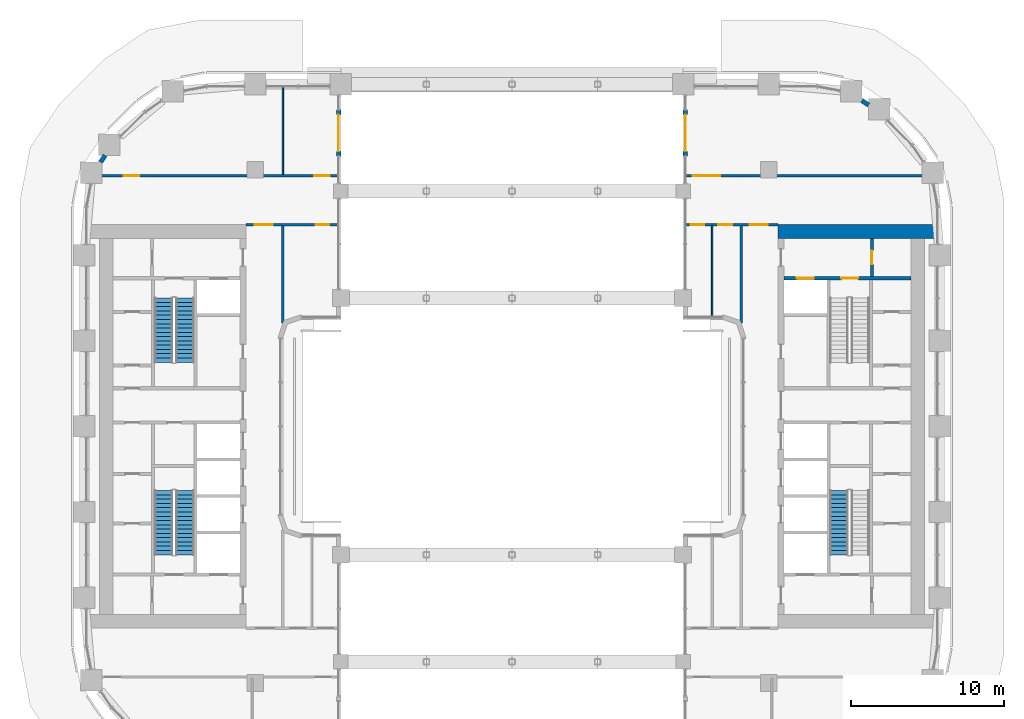
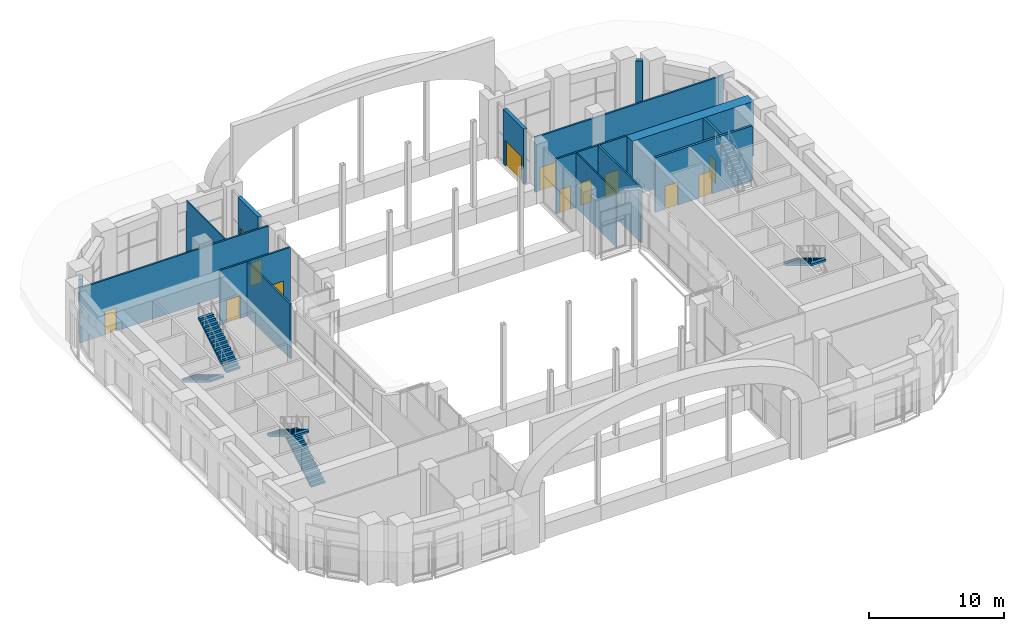
# One storey, part 17 of 27: 15 walls, 13 doors, 5 stair flights, 13 openings, 3 elements without a shape of their own.
"""IFC4 building model written with IfcOpenShell, lengths in metres."""

from ifc_helpers import new_model, si_unit, direction, frame, frame_2d, origin, place, context, subcontext, project, spatial, polyline, rectangle, outline, extrude, material, layer, layer_set, type_object, element, fill, aggregate, save


model = new_model("IFC4")

# Units and contexts
model_context = context("Model", 3, precision=1e-05, world=origin(), true_north=direction((0.0, 1.0)))
body_context = subcontext(model_context, "Body", "Model", "MODEL_VIEW")
ifc_project = project(units=[si_unit("LENGTHUNIT", "METRE"), si_unit("AREAUNIT", "SQUARE_METRE"), si_unit("VOLUMEUNIT", "CUBIC_METRE"), si_unit("PLANEANGLEUNIT", "RADIAN"), si_unit("MASSUNIT", "GRAM", prefix="KILO")], contexts=[model_context])

# Site, building, storey
site_placement = place(None, origin())
site = spatial("IfcSite", under=ifc_project, at=site_placement, CompositionType="ELEMENT")
building_placement = place(site_placement, origin())
building = spatial("IfcBuilding", under=site, at=building_placement, Name="Kiln Ring Residences", CompositionType="ELEMENT")
storey_placement = place(building_placement, frame((0.0, 0.0, 72.5)))
storey = spatial("IfcBuildingStorey", under=building, at=storey_placement, Name="L18", CompositionType="ELEMENT", Elevation=72.5)

# Wall, opening, door
ifc_material_1 = material(Name="Gypsum board on steel studs", Category="steel")
ifc_layer_1 = layer(ifc_material_1, 0.199951171875)
ifc_layer_set_1 = layer_set([ifc_layer_1], Name="CORE-PARTITION-200")
wall_type_1 = type_object("IfcWallType", Name="CORE-PARTITION-200", PredefinedType="PARTITIONING", material=ifc_layer_set_1)
wall_1_placement = place(storey_placement, frame((23.550048828125, 9.800048828125, 0.0), z_axis=(0.0, 0.0, 1.0), x_axis=(0.0, 1.0, 0.0)))
wall_1 = element("IfcWall", 1, at=wall_1_placement, inside=storey, type_object=wall_type_1, Name="Core partition east L18 3", PredefinedType="PARTITIONING", context=body_context, shape_type="SweptSolid", body=[
    extrude(rectangle(XDim=2.5, YDim=0.199951171875, at=frame_2d((1.25, 0.0))), origin(), (0.0, 0.0, 1.0), 4.949951171875),
])
opening_1_placement = place(wall_1_placement, frame((0.800048828125, 0.0, 0.0)))
opening_1 = element("IfcOpeningElement", 2, at=opening_1_placement, cuts=wall_1, Name="Opening L18-CE09", PredefinedType="OPENING", context=body_context, shape_type="SweptSolid", body=[
    extrude(rectangle(XDim=0.89990234375, YDim=2.10009765625, at=frame_2d((0.449951171875, 1.050048828125))), frame((0.0, 0.10986328125, 0.0), z_axis=(0.0, -1.0, 0.0), x_axis=(1.0, 0.0, 0.0)), (0.0, 0.0, 1.0), 0.219970703125),
])
ifc_material_2 = material(Name="Steel door leaf", Category="steel")
door_type_1 = type_object("IfcDoorType", Name="CORE-DOOR-ROOM", OperationType="SINGLE_SWING_LEFT", PredefinedType="DOOR", material=ifc_material_2)
door_1_placement = place(opening_1_placement, origin())
door_1 = element("IfcDoor", 3, at=door_1_placement, inside=storey, type_object=door_type_1, Name="Fire riser room L18-CE09", OperationType="SINGLE_SWING_RIGHT", OverallHeight=2.10009765625, OverallWidth=0.89990234375, PredefinedType="DOOR", context=body_context, shape_type="SweptSolid", body=[
    extrude(rectangle(XDim=0.89990234375, YDim=2.10009765625, at=frame_2d((0.449951171875, 1.050048828125))), frame((0.0, 0.02490234375, 0.0), z_axis=(0.0, -1.0, 0.0), x_axis=(1.0, 0.0, 0.0)), (0.0, 0.0, 1.0), 0.050048828125),
])
fill(opening_1, door_1)

# Wall, openings, doors
ifc_material_3 = material(Name="Concrete C40/50", Category="concrete")
ifc_layer_2 = layer(ifc_material_3, 0.199951171875)
ifc_layer_set_2 = layer_set([ifc_layer_2], Name="CORE-WALL-RC200")
wall_type_2 = type_object("IfcWallType", Name="CORE-WALL-RC200", PredefinedType="SHEAR", material=ifc_layer_set_2)
wall_2_placement = place(storey_placement, frame((17.800048828125, 9.699951171875, 0.0), z_axis=(0.0, 0.0, 1.0), x_axis=(1.0, 0.0, 0.0)))
wall_2 = element("IfcWall", 4, at=wall_2_placement, inside=storey, type_object=wall_type_2, Name="Core wall east L18 9", PredefinedType="SHEAR", context=body_context, shape_type="SweptSolid", body=[
    extrude(rectangle(XDim=8.300048828125, YDim=0.199951171875, at=frame_2d((4.14990234375, 0.0))), origin(), (0.0, 0.0, 1.0), 4.949951171875),
])
opening_2_placement = place(wall_2_placement, frame((0.85009765625, 0.0, 0.0)))
opening_2 = element("IfcOpeningElement", 5, at=opening_2_placement, cuts=wall_2, Name="Opening L18-CE06", PredefinedType="OPENING", context=body_context, shape_type="SweptSolid", body=[
    extrude(rectangle(XDim=1.10009765625, YDim=2.10009765625, at=frame_2d((0.550048828125, 1.050048828125))), frame((0.0, 0.10986328125, 0.0), z_axis=(0.0, -1.0, 0.0), x_axis=(1.0, 0.0, 0.0)), (0.0, 0.0, 1.0), 0.219970703125),
])
opening_3_placement = place(wall_2_placement, frame((3.75, 0.0, 0.0)))
opening_3 = element("IfcOpeningElement", 6, at=opening_3_placement, cuts=wall_2, Name="Opening L18-CE11", PredefinedType="OPENING", context=body_context, shape_type="SweptSolid", body=[
    extrude(rectangle(XDim=1.10009765625, YDim=2.10009765625, at=frame_2d((0.550048828125, 1.050048828125))), frame((0.0, 0.10986328125, 0.0), z_axis=(0.0, -1.0, 0.0), x_axis=(1.0, 0.0, 0.0)), (0.0, 0.0, 1.0), 0.219970703125),
])
ifc_material_4 = material(Name="Steel door leaf", Category="steel")
door_type_2 = type_object("IfcDoorType", Name="CORE-DOOR-LD", OperationType="DOUBLE_DOOR_SLIDING", PredefinedType="DOOR", material=ifc_material_4)
door_2_placement = place(opening_2_placement, origin())
door_2 = element("IfcDoor", 7, at=door_2_placement, inside=storey, type_object=door_type_2, Name="LD E-FF L18-CE06", OperationType="DOUBLE_DOOR_SLIDING", OverallHeight=2.10009765625, OverallWidth=1.10009765625, PredefinedType="DOOR", context=body_context, shape_type="SweptSolid", body=[
    extrude(rectangle(XDim=1.10009765625, YDim=2.10009765625, at=frame_2d((0.550048828125, 1.050048828125))), frame((0.0, 0.02490234375, 0.0), z_axis=(0.0, -1.0, 0.0), x_axis=(1.0, 0.0, 0.0)), (0.0, 0.0, 1.0), 0.050048828125),
])
fill(opening_2, door_2)
ifc_material_5 = material(Name="Steel door leaf", Category="steel")
door_type_3 = type_object("IfcDoorType", Name="CORE-DOOR-STAIR", OperationType="SINGLE_SWING_LEFT", PredefinedType="DOOR", material=ifc_material_5)
door_3_placement = place(opening_3_placement, origin())
door_3 = element("IfcDoor", 8, at=door_3_placement, inside=storey, type_object=door_type_3, Name="Stair E-STN L18-CE11", OperationType="SINGLE_SWING_RIGHT", OverallHeight=2.10009765625, OverallWidth=1.10009765625, PredefinedType="DOOR", context=body_context, shape_type="SweptSolid", body=[
    extrude(rectangle(XDim=1.10009765625, YDim=2.10009765625, at=frame_2d((0.550048828125, 1.050048828125))), frame((0.0, 0.02490234375, 0.0), z_axis=(0.0, -1.0, 0.0), x_axis=(1.0, 0.0, 0.0)), (0.0, 0.0, 1.0), 0.050048828125),
])
fill(opening_3, door_3)

# Wall
ifc_material_6 = material(Name="Concrete C60/75", Category="concrete")
ifc_layer_3 = layer(ifc_material_6, 0.89990234375)
ifc_layer_set_3 = layer_set([ifc_layer_3], Name="CORE-WALL-RC900")
wall_type_3 = type_object("IfcWallType", Name="CORE-WALL-RC900", PredefinedType="SHEAR", material=ifc_layer_set_3)
wall_3_placement = place(storey_placement, frame((17.39990234375, 12.75, 0.0), z_axis=(0.0, 0.0, 1.0), x_axis=(1.0, 0.0, 0.0)))
element("IfcWall", 9, at=wall_3_placement, inside=storey, type_object=wall_type_3, Name="Core wall east L18 4", PredefinedType="SHEAR", context=body_context, shape_type="SweptSolid", body=[
    extrude(rectangle(XDim=10.400146484375, YDim=0.89990234375, at=frame_2d((5.2001953125, 0.0))), origin(), (0.0, 0.0, 1.0), 4.949951171875),
])

# Wall, opening, door
ifc_material_7 = material(Name="Brick masonry, dark clay brick", Category="masonry")
ifc_layer_4 = layer(ifc_material_7, 0.300048828125)
ifc_layer_set_4 = layer_set([ifc_layer_4], Name="EW-300 BRICK WALL")
wall_type_4 = type_object("IfcWallType", Name="EW-300 BRICK WALL", PredefinedType="SOLIDWALL", material=ifc_layer_set_4)
wall_4_placement = place(storey_placement, frame((-11.35009765625, 17.699951171875, 0.0), z_axis=(0.0, 0.0, 1.0), x_axis=(0.0, 1.0, 0.0)))
wall_4 = element("IfcWall", 10, at=wall_4_placement, inside=storey, type_object=wall_type_4, Name="Facade wall L18 2", PredefinedType="SOLIDWALL", context=body_context, shape_type="SweptSolid", body=[
    extrude(rectangle(XDim=3.0, YDim=0.300048828125, at=frame_2d((1.5, 0.0))), origin(), (0.0, 0.0, 1.0), 4.949951171875),
])
opening_4_placement = place(wall_4_placement, frame((0.300048828125, 0.0, 0.0)))
opening_4 = element("IfcOpeningElement", 11, at=opening_4_placement, cuts=wall_4, Name="Opening EL18-2", PredefinedType="OPENING", context=body_context, shape_type="SweptSolid", body=[
    extrude(rectangle(XDim=2.39990234375, YDim=2.300048828125, at=frame_2d((1.199951171875, 1.14990234375))), frame((0.0, 0.159912109375, 0.0), z_axis=(0.0, -1.0, 0.0), x_axis=(1.0, 0.0, 0.0)), (0.0, 0.0, 1.0), 0.320068359375),
])
ifc_material_8 = material(Name="Aluminium and glass", Category="aluminium")
door_type_4 = type_object("IfcDoorType", Name="TERRACE DOOR 2400 x 2300", OperationType="DOUBLE_DOOR_SINGLE_SWING", PredefinedType="DOOR", material=ifc_material_8)
door_4_placement = place(opening_4_placement, origin())
door_4 = element("IfcDoor", 12, at=door_4_placement, inside=storey, type_object=door_type_4, Name="Terrace door EL18-2", OperationType="SINGLE_SWING_LEFT", OverallHeight=2.300048828125, OverallWidth=2.39990234375, PredefinedType="DOOR", context=body_context, shape_type="SweptSolid", body=[
    extrude(rectangle(XDim=2.39990234375, YDim=2.300048828125, at=frame_2d((1.199951171875, 1.14990234375))), frame((0.0, 0.02490234375, 0.0), z_axis=(0.0, -1.0, 0.0), x_axis=(1.0, 0.0, 0.0)), (0.0, 0.0, 1.0), 0.050048828125),
])
fill(opening_4, door_4)

wall_5_placement = place(storey_placement, frame((11.35009765625, 20.699951171875, 0.0), z_axis=(0.0, 0.0, 1.0), x_axis=(0.0, -1.0, 0.0)))
wall_5 = element("IfcWall", 13, at=wall_5_placement, inside=storey, type_object=wall_type_4, Name="Facade wall L18 4", PredefinedType="SOLIDWALL", context=body_context, shape_type="SweptSolid", body=[
    extrude(rectangle(XDim=3.0, YDim=0.300048828125, at=frame_2d((1.5, 0.0))), origin(), (0.0, 0.0, 1.0), 4.949951171875),
])
opening_5_placement = place(wall_5_placement, frame((0.300048828125, 0.0, 0.0)))
opening_5 = element("IfcOpeningElement", 14, at=opening_5_placement, cuts=wall_5, Name="Opening EL18-4", PredefinedType="OPENING", context=body_context, shape_type="SweptSolid", body=[
    extrude(rectangle(XDim=2.39990234375, YDim=2.300048828125, at=frame_2d((1.199951171875, 1.14990234375))), frame((0.0, 0.159912109375, 0.0), z_axis=(0.0, -1.0, 0.0), x_axis=(1.0, 0.0, 0.0)), (0.0, 0.0, 1.0), 0.320068359375),
])
door_5_placement = place(opening_5_placement, origin())
door_5 = element("IfcDoor", 15, at=door_5_placement, inside=storey, type_object=door_type_4, Name="Terrace door EL18-4", OperationType="SINGLE_SWING_LEFT", OverallHeight=2.300048828125, OverallWidth=2.39990234375, PredefinedType="DOOR", context=body_context, shape_type="SweptSolid", body=[
    extrude(rectangle(XDim=2.39990234375, YDim=2.300048828125, at=frame_2d((1.199951171875, 1.14990234375))), frame((0.0, 0.02490234375, 0.0), z_axis=(0.0, -1.0, 0.0), x_axis=(1.0, 0.0, 0.0)), (0.0, 0.0, 1.0), 0.050048828125),
])
fill(opening_5, door_5)

# Walls
for number, where, z_axis, x_axis, name in (
    (16, (-26.635986328125, 17.740234375, 0.0), (0.0, 0.0, 1.0), (-0.561913238827, -0.827196175059, 0.0), "Facade wall L18 8"),
    (17, (23.340087890625, 21.035888671875, 0.0), (0.0, 0.0, 1.0), (-0.827048360589, 0.562130775929, 0.0), "Facade wall L18 11"),
):
    element("IfcWall", number, at=place(storey_placement, frame(where, z_axis=z_axis, x_axis=x_axis)), inside=storey, type_object=wall_type_4, Name=name, PredefinedType="SOLIDWALL", context=body_context, shape_type="SweptSolid", body=[
        extrude(rectangle(XDim=0.521728515625, YDim=0.300048828125, at=frame_2d((0.2607421875, 0.0))), origin(), (0.0, 0.0, 1.0), 4.949951171875),
    ])
ifc_material_9 = material(Name="Gypsum board on steel studs", Category="steel")
ifc_layer_5 = layer(ifc_material_9, 0.10009765625)
ifc_layer_set_5 = layer_set([ifc_layer_5], Name="PARTITION-100")
wall_type_5 = type_object("IfcWallType", Name="PARTITION-100", PredefinedType="PARTITIONING", material=ifc_layer_set_5)
wall_6_placement = place(storey_placement, frame((-15.0, 16.47509765625, 0.0), z_axis=(0.0, 0.0, 1.0), x_axis=(0.0, 1.0, 0.0)))
element("IfcWall", 18, at=wall_6_placement, inside=storey, type_object=wall_type_5, Name="Partition 009", PredefinedType="PARTITIONING", context=body_context, shape_type="SweptSolid", body=[
    extrude(rectangle(XDim=5.740966796875, YDim=0.10009765625, at=frame_2d((2.87060546875, 0.0))), origin(), (0.0, 0.0, 1.0), 4.949951171875),
])
wall_7_placement = place(storey_placement, frame((13.10009765625, 7.18408203125, 0.0), z_axis=(0.0, 0.0, 1.0), x_axis=(0.0, 1.0, 0.0)))
element("IfcWall", 19, at=wall_7_placement, inside=storey, type_object=wall_type_5, Name="Partition 013", PredefinedType="PARTITIONING", context=body_context, shape_type="SweptSolid", body=[
    extrude(rectangle(XDim=5.94091796875, YDim=0.10009765625, at=frame_2d((2.970458984375, 0.0))), origin(), (0.0, 0.0, 1.0), 4.949951171875),
])

# Wall, openings, doors
ifc_material_10 = material(Name="Brick masonry partition", Category="masonry")
ifc_layer_6 = layer(ifc_material_10, 0.14990234375)
ifc_layer_set_6 = layer_set([ifc_layer_6], Name="PARTITION-150-ei60")
wall_type_6 = type_object("IfcWallType", Name="PARTITION-150-ei60", PredefinedType="PARTITIONING", material=ifc_layer_set_6)
wall_8_placement = place(storey_placement, frame((-17.39990234375, 13.199951171875, 0.0), z_axis=(0.0, 0.0, 1.0), x_axis=(1.0, 0.0, 0.0)))
wall_8 = element("IfcWall", 20, at=wall_8_placement, inside=storey, type_object=wall_type_6, Name="Partition 004", PredefinedType="PARTITIONING", context=body_context, shape_type="SweptSolid", body=[
    extrude(rectangle(XDim=6.015869140625, YDim=0.14990234375, at=frame_2d((3.0078125, 0.0))), origin(), (0.0, 0.0, 1.0), 4.949951171875),
])
opening_6_placement = place(wall_8_placement, frame((0.550048828125, 0.0, 0.0)))
opening_6 = element("IfcOpeningElement", 21, at=opening_6_placement, cuts=wall_8, Name="Opening L18-D005", PredefinedType="OPENING", context=body_context, shape_type="SweptSolid", body=[
    extrude(rectangle(XDim=1.199951171875, YDim=2.10009765625, at=frame_2d((0.60009765625, 1.050048828125))), frame((0.0, 0.0849609375, 0.0), z_axis=(0.0, -1.0, 0.0), x_axis=(1.0, 0.0, 0.0)), (0.0, 0.0, 1.0), 0.169921875),
])
opening_7_placement = place(wall_8_placement, frame((4.550048828125, 0.0, 0.0)))
opening_7 = element("IfcOpeningElement", 22, at=opening_7_placement, cuts=wall_8, Name="Opening L18-D006", PredefinedType="OPENING", context=body_context, shape_type="SweptSolid", body=[
    extrude(rectangle(XDim=0.89990234375, YDim=2.10009765625, at=frame_2d((0.449951171875, 1.050048828125))), frame((0.0, 0.0849609375, 0.0), z_axis=(0.0, -1.0, 0.0), x_axis=(1.0, 0.0, 0.0)), (0.0, 0.0, 1.0), 0.169921875),
])
ifc_material_11 = material(Name="Steel faced fire door leaf", Category="steel")
door_type_5 = type_object("IfcDoorType", Name="FLAT-DOOR-1200-FR", OperationType="SINGLE_SWING_LEFT", PredefinedType="DOOR", material=ifc_material_11)
door_6_placement = place(opening_6_placement, origin())
door_6 = element("IfcDoor", 23, at=door_6_placement, inside=storey, type_object=door_type_5, Name="Door L18-D005", OperationType="SINGLE_SWING_RIGHT", OverallHeight=2.10009765625, OverallWidth=1.199951171875, PredefinedType="DOOR", context=body_context, shape_type="SweptSolid", body=[
    extrude(rectangle(XDim=1.199951171875, YDim=2.10009765625, at=frame_2d((0.60009765625, 1.050048828125))), frame((0.0, 0.02490234375, 0.0), z_axis=(0.0, -1.0, 0.0), x_axis=(1.0, 0.0, 0.0)), (0.0, 0.0, 1.0), 0.050048828125),
])
fill(opening_6, door_6)
ifc_material_12 = material(Name="Steel faced fire door leaf", Category="steel")
door_type_6 = type_object("IfcDoorType", Name="FLAT-DOOR-900-FR", OperationType="SINGLE_SWING_LEFT", PredefinedType="DOOR", material=ifc_material_12)
door_7_placement = place(opening_7_placement, origin())
door_7 = element("IfcDoor", 24, at=door_7_placement, inside=storey, type_object=door_type_6, Name="Door L18-D006", OperationType="SINGLE_SWING_RIGHT", OverallHeight=2.10009765625, OverallWidth=0.89990234375, PredefinedType="DOOR", context=body_context, shape_type="SweptSolid", body=[
    extrude(rectangle(XDim=0.89990234375, YDim=2.10009765625, at=frame_2d((0.449951171875, 1.050048828125))), frame((0.0, 0.02490234375, 0.0), z_axis=(0.0, -1.0, 0.0), x_axis=(1.0, 0.0, 0.0)), (0.0, 0.0, 1.0), 0.050048828125),
])
fill(opening_7, door_7)

wall_9_placement = place(storey_placement, frame((11.384033203125, 13.199951171875, 0.0), z_axis=(0.0, 0.0, 1.0), x_axis=(1.0, 0.0, 0.0)))
wall_9 = element("IfcWall", 25, at=wall_9_placement, inside=storey, type_object=wall_type_6, Name="Partition 005", PredefinedType="PARTITIONING", context=body_context, shape_type="SweptSolid", body=[
    extrude(rectangle(XDim=6.015869140625, YDim=0.14990234375, at=frame_2d((3.0078125, 0.0))), origin(), (0.0, 0.0, 1.0), 4.949951171875),
])
opening_8_placement = place(wall_9_placement, frame((4.166015625, 0.0, 0.0)))
opening_8 = element("IfcOpeningElement", 26, at=opening_8_placement, cuts=wall_9, Name="Opening L18-D001", PredefinedType="OPENING", context=body_context, shape_type="SweptSolid", body=[
    extrude(rectangle(XDim=1.199951171875, YDim=2.10009765625, at=frame_2d((0.60009765625, 1.050048828125))), frame((0.0, 0.0849609375, 0.0), z_axis=(0.0, -1.0, 0.0), x_axis=(1.0, 0.0, 0.0)), (0.0, 0.0, 1.0), 0.169921875),
])
opening_9_placement = place(wall_9_placement, frame((0.305908203125, 0.0, 0.0)))
opening_9 = element("IfcOpeningElement", 27, at=opening_9_placement, cuts=wall_9, Name="Opening L18-D002", PredefinedType="OPENING", context=body_context, shape_type="SweptSolid", body=[
    extrude(rectangle(XDim=0.89990234375, YDim=2.10009765625, at=frame_2d((0.449951171875, 1.050048828125))), frame((0.0, 0.0849609375, 0.0), z_axis=(0.0, -1.0, 0.0), x_axis=(1.0, 0.0, 0.0)), (0.0, 0.0, 1.0), 0.169921875),
])
opening_10_placement = place(wall_9_placement, frame((2.115966796875, 0.0, 0.0)))
opening_10 = element("IfcOpeningElement", 28, at=opening_10_placement, cuts=wall_9, Name="Opening L18-D003", PredefinedType="OPENING", context=body_context, shape_type="SweptSolid", body=[
    extrude(rectangle(XDim=0.89990234375, YDim=2.10009765625, at=frame_2d((0.449951171875, 1.050048828125))), frame((0.0, 0.0849609375, 0.0), z_axis=(0.0, -1.0, 0.0), x_axis=(1.0, 0.0, 0.0)), (0.0, 0.0, 1.0), 0.169921875),
])
door_8_placement = place(opening_8_placement, origin())
door_8 = element("IfcDoor", 29, at=door_8_placement, inside=storey, type_object=door_type_5, Name="Door L18-D001", OperationType="SINGLE_SWING_RIGHT", OverallHeight=2.10009765625, OverallWidth=1.199951171875, PredefinedType="DOOR", context=body_context, shape_type="SweptSolid", body=[
    extrude(rectangle(XDim=1.199951171875, YDim=2.10009765625, at=frame_2d((0.60009765625, 1.050048828125))), frame((0.0, 0.02490234375, 0.0), z_axis=(0.0, -1.0, 0.0), x_axis=(1.0, 0.0, 0.0)), (0.0, 0.0, 1.0), 0.050048828125),
])
fill(opening_8, door_8)
door_9_placement = place(opening_9_placement, origin())
door_9 = element("IfcDoor", 30, at=door_9_placement, inside=storey, type_object=door_type_6, Name="Door L18-D002", OperationType="SINGLE_SWING_RIGHT", OverallHeight=2.10009765625, OverallWidth=0.89990234375, PredefinedType="DOOR", context=body_context, shape_type="SweptSolid", body=[
    extrude(rectangle(XDim=0.89990234375, YDim=2.10009765625, at=frame_2d((0.449951171875, 1.050048828125))), frame((0.0, 0.02490234375, 0.0), z_axis=(0.0, -1.0, 0.0), x_axis=(1.0, 0.0, 0.0)), (0.0, 0.0, 1.0), 0.050048828125),
])
fill(opening_9, door_9)
door_10_placement = place(opening_10_placement, origin())
door_10 = element("IfcDoor", 31, at=door_10_placement, inside=storey, type_object=door_type_6, Name="Door L18-D003", OperationType="SINGLE_SWING_LEFT", OverallHeight=2.10009765625, OverallWidth=0.89990234375, PredefinedType="DOOR", context=body_context, shape_type="SweptSolid", body=[
    extrude(rectangle(XDim=0.89990234375, YDim=2.10009765625, at=frame_2d((0.449951171875, 1.050048828125))), frame((0.0, 0.02490234375, 0.0), z_axis=(0.0, -1.0, 0.0), x_axis=(1.0, 0.0, 0.0)), (0.0, 0.0, 1.0), 0.050048828125),
])
fill(opening_10, door_10)

wall_10_placement = place(storey_placement, frame((-27.52001953125, 16.39990234375, 0.0), z_axis=(0.0, 0.0, 1.0), x_axis=(1.0, 0.0, 0.0)))
wall_10 = element("IfcWall", 32, at=wall_10_placement, inside=storey, type_object=wall_type_6, Name="Partition 006", PredefinedType="PARTITIONING", context=body_context, shape_type="SweptSolid", body=[
    extrude(rectangle(XDim=16.135986328125, YDim=0.14990234375, at=frame_2d((8.06787109375, 0.0))), origin(), (0.0, 0.0, 1.0), 4.949951171875),
])
opening_11_placement = place(wall_10_placement, frame((14.580078125, 0.0, 0.0)))
opening_11 = element("IfcOpeningElement", 33, at=opening_11_placement, cuts=wall_10, Name="Opening L18-D007", PredefinedType="OPENING", context=body_context, shape_type="SweptSolid", body=[
    extrude(rectangle(XDim=1.0, YDim=2.10009765625, at=frame_2d((0.5, 1.050048828125))), frame((0.0, 0.0849609375, 0.0), z_axis=(0.0, -1.0, 0.0), x_axis=(1.0, 0.0, 0.0)), (0.0, 0.0, 1.0), 0.169921875),
])
opening_12_placement = place(wall_10_placement, frame((2.1201171875, 0.0, 0.0)))
opening_12 = element("IfcOpeningElement", 34, at=opening_12_placement, cuts=wall_10, Name="Opening L18-D008", PredefinedType="OPENING", context=body_context, shape_type="SweptSolid", body=[
    extrude(rectangle(XDim=1.0, YDim=2.10009765625, at=frame_2d((0.5, 1.050048828125))), frame((0.0, 0.0849609375, 0.0), z_axis=(0.0, -1.0, 0.0), x_axis=(1.0, 0.0, 0.0)), (0.0, 0.0, 1.0), 0.169921875),
])
ifc_material_13 = material(Name="Steel faced fire door leaf", Category="steel")
door_type_7 = type_object("IfcDoorType", Name="FLAT-DOOR-1000-FR", OperationType="SINGLE_SWING_LEFT", PredefinedType="DOOR", material=ifc_material_13)
door_11_placement = place(opening_11_placement, origin())
door_11 = element("IfcDoor", 35, at=door_11_placement, inside=storey, type_object=door_type_7, Name="Door L18-D007", OperationType="SINGLE_SWING_LEFT", OverallHeight=2.10009765625, OverallWidth=1.0, PredefinedType="DOOR", context=body_context, shape_type="SweptSolid", body=[
    extrude(rectangle(XDim=1.0, YDim=2.10009765625, at=frame_2d((0.5, 1.050048828125))), frame((0.0, 0.02490234375, 0.0), z_axis=(0.0, -1.0, 0.0), x_axis=(1.0, 0.0, 0.0)), (0.0, 0.0, 1.0), 0.050048828125),
])
fill(opening_11, door_11)
door_12_placement = place(opening_12_placement, origin())
door_12 = element("IfcDoor", 36, at=door_12_placement, inside=storey, type_object=door_type_7, Name="Door L18-D008", OperationType="SINGLE_SWING_RIGHT", OverallHeight=2.10009765625, OverallWidth=1.0, PredefinedType="DOOR", context=body_context, shape_type="SweptSolid", body=[
    extrude(rectangle(XDim=1.0, YDim=2.10009765625, at=frame_2d((0.5, 1.050048828125))), frame((0.0, 0.02490234375, 0.0), z_axis=(0.0, -1.0, 0.0), x_axis=(1.0, 0.0, 0.0)), (0.0, 0.0, 1.0), 0.050048828125),
])
fill(opening_12, door_12)

# Wall, opening, door
wall_11_placement = place(storey_placement, frame((11.384033203125, 16.39990234375, 0.0), z_axis=(0.0, 0.0, 1.0), x_axis=(1.0, 0.0, 0.0)))
wall_11 = element("IfcWall", 37, at=wall_11_placement, inside=storey, type_object=wall_type_6, Name="Partition 007", PredefinedType="PARTITIONING", context=body_context, shape_type="SweptSolid", body=[
    extrude(rectangle(XDim=16.135986328125, YDim=0.14990234375, at=frame_2d((8.06787109375, 0.0))), origin(), (0.0, 0.0, 1.0), 4.949951171875),
])
opening_13_placement = place(wall_11_placement, frame((0.443115234375, 0.0, 0.0)))
opening_13 = element("IfcOpeningElement", 38, at=opening_13_placement, cuts=wall_11, Name="Opening L18-D004", PredefinedType="OPENING", context=body_context, shape_type="SweptSolid", body=[
    extrude(rectangle(XDim=1.800048828125, YDim=2.10009765625, at=frame_2d((0.89990234375, 1.050048828125))), frame((0.0, 0.0849609375, 0.0), z_axis=(0.0, -1.0, 0.0), x_axis=(1.0, 0.0, 0.0)), (0.0, 0.0, 1.0), 0.169921875),
])
ifc_material_14 = material(Name="Steel faced fire door leaf", Category="steel")
door_type_8 = type_object("IfcDoorType", Name="FLAT-DOOR-1800-FR", OperationType="SINGLE_SWING_LEFT", PredefinedType="DOOR", material=ifc_material_14)
door_13_placement = place(opening_13_placement, origin())
door_13 = element("IfcDoor", 39, at=door_13_placement, inside=storey, type_object=door_type_8, Name="Door L18-D004", OperationType="SINGLE_SWING_RIGHT", OverallHeight=2.10009765625, OverallWidth=1.800048828125, PredefinedType="DOOR", context=body_context, shape_type="SweptSolid", body=[
    extrude(rectangle(XDim=1.800048828125, YDim=2.10009765625, at=frame_2d((0.89990234375, 1.050048828125))), frame((0.0, 0.02490234375, 0.0), z_axis=(0.0, -1.0, 0.0), x_axis=(1.0, 0.0, 0.0)), (0.0, 0.0, 1.0), 0.050048828125),
])
fill(opening_13, door_13)

# Walls
for number, where, z_axis, x_axis, name in (
    (40, (-15.0, 6.768798828125, 0.0), (0.0, 0.0, 1.0), (0.0, 1.0, 0.0), "Partition 011"),
    (41, (15.0, 6.768798828125, 0.0), (0.0, 0.0, 1.0), (0.0, 1.0, 0.0), "Partition 016"),
):
    element("IfcWall", number, at=place(storey_placement, frame(where, z_axis=z_axis, x_axis=x_axis)), inside=storey, type_object=wall_type_6, Name=name, PredefinedType="PARTITIONING", context=body_context, shape_type="SweptSolid", body=[
        extrude(rectangle(XDim=6.356201171875, YDim=0.14990234375, at=frame_2d((3.17822265625, 0.0))), origin(), (0.0, 0.0, 1.0), 4.949951171875),
    ])

# Stair, stair flights
ifc_material_15 = material(Name="Concrete C40/50", Category="concrete")
stair_type = type_object("IfcStairType", Name="CORE-STAIR", PredefinedType="HALF_TURN_STAIR", material=ifc_material_15)
placement = place(storey_placement, origin())
stair_1 = element("IfcStair", 42, at=placement, inside=storey, type_object=stair_type, Name="L18 stair W-STN", PredefinedType="HALF_TURN_STAIR")
ifc_material_16 = material(Name="Concrete C40/50", Category="concrete")
stair_flight_type = type_object("IfcStairFlightType", Name="CORE-STAIR-FLIGHT", PredefinedType="STRAIGHT", material=ifc_material_16)
stair_flight_1_placement = place(storey_placement, frame((-22.800048828125, 8.39990234375, 0.0), z_axis=(0.0, 0.0, 1.0), x_axis=(0.0, -1.0, 0.0)))
stair_flight_1 = element("IfcStairFlight", 43, at=stair_flight_1_placement, type_object=stair_flight_type, Name="W-STN flight 1", NumberOfRisers=16, NumberOfTreads=15, PredefinedType="STRAIGHT", RiserHeight=0.16875, TreadLength=0.28, context=body_context, shape_type="SweptSolid", body=[
    extrude(outline(polyline([(0.0, 0.0), (0.0, 0.168701171875), (0.280029296875, 0.168701171875), (0.280029296875, 0.33740234375), (0.56005859375, 0.33740234375), (0.56005859375, 0.50634765625), (0.840087890625, 0.50634765625), (0.840087890625, 0.675048828125), (1.1201171875, 0.675048828125), (1.1201171875, 0.84375), (1.39990234375, 0.84375), (1.39990234375, 1.012451171875), (1.679931640625, 1.012451171875), (1.679931640625, 1.18115234375), (1.9599609375, 1.18115234375), (1.9599609375, 1.35009765625), (2.239990234375, 1.35009765625), (2.239990234375, 1.518798828125), (2.52001953125, 1.518798828125), (2.52001953125, 1.6875), (2.800048828125, 1.6875), (2.800048828125, 1.856201171875), (3.080078125, 1.856201171875), (3.080078125, 2.02490234375), (3.360107421875, 2.02490234375), (3.360107421875, 2.19384765625), (3.639892578125, 2.19384765625), (3.639892578125, 2.362548828125), (3.919921875, 2.362548828125), (3.919921875, 2.53125), (4.199951171875, 2.53125), (4.199951171875, 2.699951171875), (4.199951171875, 2.356201171875), (0.29052734375, 0.0), (0.0, 0.0)])), frame((0.0, 0.60009765625, 0.0), z_axis=(0.0, -1.0, 0.0), x_axis=(1.0, 0.0, 0.0)), (0.0, 0.0, 1.0), 1.199951171875),
])
stair_flight_2_placement = place(storey_placement, frame((-21.39990234375, 4.199951171875, 2.699951171875), z_axis=(0.0, 0.0, 1.0), x_axis=(0.0, 1.0, 0.0)))
stair_flight_2 = element("IfcStairFlight", 44, at=stair_flight_2_placement, type_object=stair_flight_type, Name="W-STN flight 2", NumberOfRisers=16, NumberOfTreads=15, PredefinedType="STRAIGHT", RiserHeight=0.16875, TreadLength=0.28, context=body_context, shape_type="SweptSolid", body=[
    extrude(outline(polyline([(0.0, 0.0), (0.0, 0.168701171875), (0.280029296875, 0.168701171875), (0.280029296875, 0.33740234375), (0.56005859375, 0.33740234375), (0.56005859375, 0.50634765625), (0.840087890625, 0.50634765625), (0.840087890625, 0.675048828125), (1.1201171875, 0.675048828125), (1.1201171875, 0.84375), (1.39990234375, 0.84375), (1.39990234375, 1.012451171875), (1.679931640625, 1.012451171875), (1.679931640625, 1.18115234375), (1.9599609375, 1.18115234375), (1.9599609375, 1.35009765625), (2.239990234375, 1.35009765625), (2.239990234375, 1.518798828125), (2.52001953125, 1.518798828125), (2.52001953125, 1.6875), (2.800048828125, 1.6875), (2.800048828125, 1.856201171875), (3.080078125, 1.856201171875), (3.080078125, 2.02490234375), (3.360107421875, 2.02490234375), (3.360107421875, 2.19384765625), (3.639892578125, 2.19384765625), (3.639892578125, 2.362548828125), (3.919921875, 2.362548828125), (3.919921875, 2.53125), (4.199951171875, 2.53125), (4.199951171875, 2.699951171875), (4.199951171875, 2.356201171875), (0.29052734375, 0.0), (0.0, 0.0)])), frame((0.0, 0.60009765625, 0.0), z_axis=(0.0, -1.0, 0.0), x_axis=(1.0, 0.0, 0.0)), (0.0, 0.0, 1.0), 1.199951171875),
])
aggregate(stair_1, [stair_flight_1, stair_flight_2])

stair_2 = element("IfcStair", 45, at=placement, inside=storey, type_object=stair_type, Name="L18 stair W-STS", PredefinedType="HALF_TURN_STAIR")
stair_flight_3_placement = place(storey_placement, frame((-21.39990234375, -8.39990234375, 0.0), z_axis=(0.0, 0.0, 1.0), x_axis=(0.0, 1.0, 0.0)))
stair_flight_3 = element("IfcStairFlight", 46, at=stair_flight_3_placement, type_object=stair_flight_type, Name="W-STS flight 1", NumberOfRisers=16, NumberOfTreads=15, PredefinedType="STRAIGHT", RiserHeight=0.16875, TreadLength=0.28, context=body_context, shape_type="SweptSolid", body=[
    extrude(outline(polyline([(0.0, 0.0), (0.0, 0.168701171875), (0.280029296875, 0.168701171875), (0.280029296875, 0.33740234375), (0.56005859375, 0.33740234375), (0.56005859375, 0.50634765625), (0.840087890625, 0.50634765625), (0.840087890625, 0.675048828125), (1.1201171875, 0.675048828125), (1.1201171875, 0.84375), (1.39990234375, 0.84375), (1.39990234375, 1.012451171875), (1.679931640625, 1.012451171875), (1.679931640625, 1.18115234375), (1.9599609375, 1.18115234375), (1.9599609375, 1.35009765625), (2.239990234375, 1.35009765625), (2.239990234375, 1.518798828125), (2.52001953125, 1.518798828125), (2.52001953125, 1.6875), (2.800048828125, 1.6875), (2.800048828125, 1.856201171875), (3.080078125, 1.856201171875), (3.080078125, 2.02490234375), (3.360107421875, 2.02490234375), (3.360107421875, 2.19384765625), (3.639892578125, 2.19384765625), (3.639892578125, 2.362548828125), (3.919921875, 2.362548828125), (3.919921875, 2.53125), (4.199951171875, 2.53125), (4.199951171875, 2.699951171875), (4.199951171875, 2.356201171875), (0.29052734375, 0.0), (0.0, 0.0)])), frame((0.0, 0.60009765625, 0.0), z_axis=(0.0, -1.0, 0.0), x_axis=(1.0, 0.0, 0.0)), (0.0, 0.0, 1.0), 1.199951171875),
])
stair_flight_4_placement = place(storey_placement, frame((-22.800048828125, -4.199951171875, 2.699951171875), z_axis=(0.0, 0.0, 1.0), x_axis=(0.0, -1.0, 0.0)))
stair_flight_4 = element("IfcStairFlight", 47, at=stair_flight_4_placement, type_object=stair_flight_type, Name="W-STS flight 2", NumberOfRisers=16, NumberOfTreads=15, PredefinedType="STRAIGHT", RiserHeight=0.16875, TreadLength=0.28, context=body_context, shape_type="SweptSolid", body=[
    extrude(outline(polyline([(0.0, 0.0), (0.0, 0.168701171875), (0.280029296875, 0.168701171875), (0.280029296875, 0.33740234375), (0.56005859375, 0.33740234375), (0.56005859375, 0.50634765625), (0.840087890625, 0.50634765625), (0.840087890625, 0.675048828125), (1.1201171875, 0.675048828125), (1.1201171875, 0.84375), (1.39990234375, 0.84375), (1.39990234375, 1.012451171875), (1.679931640625, 1.012451171875), (1.679931640625, 1.18115234375), (1.9599609375, 1.18115234375), (1.9599609375, 1.35009765625), (2.239990234375, 1.35009765625), (2.239990234375, 1.518798828125), (2.52001953125, 1.518798828125), (2.52001953125, 1.6875), (2.800048828125, 1.6875), (2.800048828125, 1.856201171875), (3.080078125, 1.856201171875), (3.080078125, 2.02490234375), (3.360107421875, 2.02490234375), (3.360107421875, 2.19384765625), (3.639892578125, 2.19384765625), (3.639892578125, 2.362548828125), (3.919921875, 2.362548828125), (3.919921875, 2.53125), (4.199951171875, 2.53125), (4.199951171875, 2.699951171875), (4.199951171875, 2.356201171875), (0.29052734375, 0.0), (0.0, 0.0)])), frame((0.0, 0.60009765625, 0.0), z_axis=(0.0, -1.0, 0.0), x_axis=(1.0, 0.0, 0.0)), (0.0, 0.0, 1.0), 1.199951171875),
])
aggregate(stair_2, [stair_flight_3, stair_flight_4])

# Stair, stair flight
stair_3 = element("IfcStair", 48, at=placement, inside=storey, type_object=stair_type, Name="L18 stair E-STS", PredefinedType="HALF_TURN_STAIR")
stair_flight_5_placement = place(storey_placement, frame((21.39990234375, -4.199951171875, 2.699951171875), z_axis=(0.0, 0.0, 1.0), x_axis=(0.0, -1.0, 0.0)))
stair_flight_5 = element("IfcStairFlight", 49, at=stair_flight_5_placement, type_object=stair_flight_type, Name="E-STS flight 2", NumberOfRisers=16, NumberOfTreads=15, PredefinedType="STRAIGHT", RiserHeight=0.16875, TreadLength=0.28, context=body_context, shape_type="SweptSolid", body=[
    extrude(outline(polyline([(0.0, 0.0), (0.0, 0.168701171875), (0.280029296875, 0.168701171875), (0.280029296875, 0.33740234375), (0.56005859375, 0.33740234375), (0.56005859375, 0.50634765625), (0.840087890625, 0.50634765625), (0.840087890625, 0.675048828125), (1.1201171875, 0.675048828125), (1.1201171875, 0.84375), (1.39990234375, 0.84375), (1.39990234375, 1.012451171875), (1.679931640625, 1.012451171875), (1.679931640625, 1.18115234375), (1.9599609375, 1.18115234375), (1.9599609375, 1.35009765625), (2.239990234375, 1.35009765625), (2.239990234375, 1.518798828125), (2.52001953125, 1.518798828125), (2.52001953125, 1.6875), (2.800048828125, 1.6875), (2.800048828125, 1.856201171875), (3.080078125, 1.856201171875), (3.080078125, 2.02490234375), (3.360107421875, 2.02490234375), (3.360107421875, 2.19384765625), (3.639892578125, 2.19384765625), (3.639892578125, 2.362548828125), (3.919921875, 2.362548828125), (3.919921875, 2.53125), (4.199951171875, 2.53125), (4.199951171875, 2.699951171875), (4.199951171875, 2.356201171875), (0.29052734375, 0.0), (0.0, 0.0)])), frame((0.0, 0.60009765625, 0.0), z_axis=(0.0, -1.0, 0.0), x_axis=(1.0, 0.0, 0.0)), (0.0, 0.0, 1.0), 1.199951171875),
])
aggregate(stair_3, [stair_flight_5])

save(model, "model.ifc")
